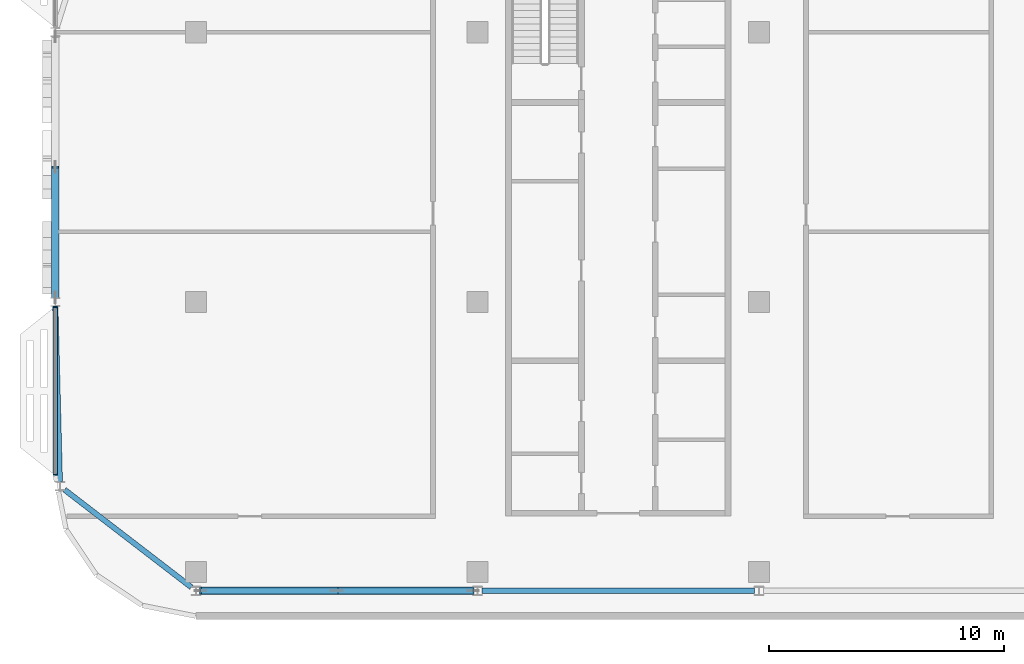
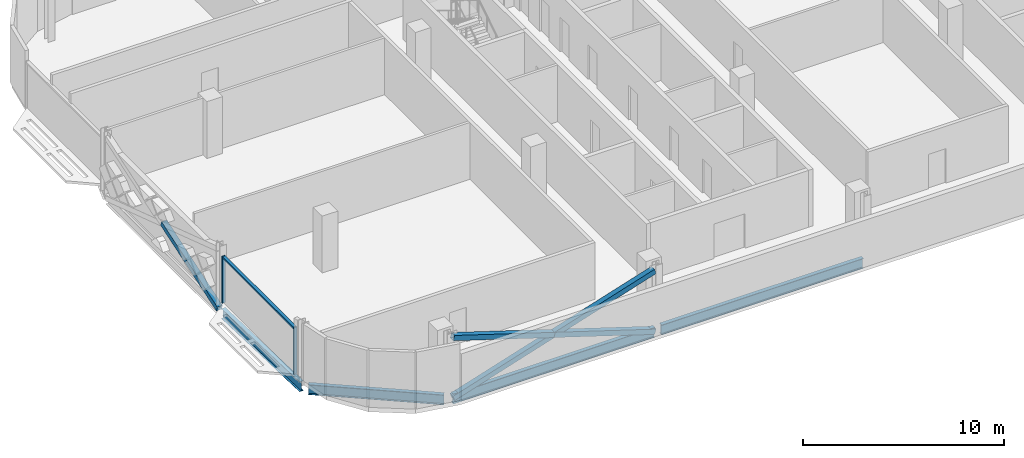
# One storey, part 5 of 28: 7 members, 4 beams, 1 element without a shape of its own.
"""IFC4 building model written with IfcOpenShell, lengths in metres."""

from ifc_helpers import new_model, si_unit, direction, frame, origin, origin_2d, place, context, subcontext, project, spatial, rectangle, hollow_rectangle, i_section, extrude, material, material_profile, profile_set, type_object, element, aggregate, save


model = new_model("IFC4")

# Units and contexts
model_context = context("Model", 3, precision=1e-05, world=origin(), true_north=direction((0.0, 1.0)))
body_context = subcontext(model_context, "Body", "Model", "MODEL_VIEW")
ifc_project = project(units=[si_unit("LENGTHUNIT", "METRE"), si_unit("AREAUNIT", "SQUARE_METRE"), si_unit("VOLUMEUNIT", "CUBIC_METRE"), si_unit("PLANEANGLEUNIT", "RADIAN"), si_unit("MASSUNIT", "GRAM", prefix="KILO")], contexts=[model_context])

# Site, building, storey
site_placement = place(None, origin())
site = spatial("IfcSite", under=ifc_project, at=site_placement, CompositionType="ELEMENT")
building_placement = place(site_placement, origin())
building = spatial("IfcBuilding", under=site, at=building_placement, Name="Mahtab Terrace Research Tower", CompositionType="ELEMENT")
storey_placement = place(building_placement, frame((0.0, 0.0, 270.89990234375)))
storey = spatial("IfcBuildingStorey", under=building, at=storey_placement, Name="L66", CompositionType="ELEMENT", Elevation=270.89990234375)

# Members
ifc_material_1 = material(Name="Steel ASTM A500 Gr C", Category="steel")
ifc_material_profile_1 = material_profile(ifc_material_1, hollow_rectangle(XDim=0.3046875, YDim=0.3046875, WallThickness=0.015869140625, at=origin_2d()), Name="HSS12X12X5/8")
ifc_profile_set_1 = profile_set([ifc_material_profile_1], Name="Steel ASTM A500 Gr C")
member_type_1 = type_object("IfcMemberType", Name="HSS 12x12x5/8 brace XB121258", PredefinedType="BRACE", material=ifc_profile_set_1)
member_1_placement = place(storey_placement, frame((-48.0, 0.18798828125, -0.581298828125), z_axis=(0.0, 0.949505289695, 0.313751023651), x_axis=(-1.0, 0.0, 0.0)))
element("IfcMember", 1, at=member_1_placement, inside=storey, type_object=member_type_1, Name="Exoskeleton brace L66 11 b1", PredefinedType="BRACE", context=body_context, shape_type="SweptSolid", body=[
    extrude(hollow_rectangle(XDim=0.3046875, YDim=0.3046875, WallThickness=0.015869140625, at=origin_2d()), origin(), (0.0, 0.0, 1.0), 5.85791015625),
])
member_2_placement = place(storey_placement, frame((-41.80322265625, -12.306884765625, -0.5810546875), z_axis=(0.953344149173, 0.0, 0.301885629399), x_axis=(0.0, 1.0, 0.0)))
element("IfcMember", 2, at=member_2_placement, inside=storey, type_object=member_type_1, Name="Exoskeleton brace L66 14 a", PredefinedType="BRACE", context=body_context, shape_type="SweptSolid", body=[
    extrude(hollow_rectangle(XDim=0.3046875, YDim=0.3046875, WallThickness=0.015869140625, at=origin_2d()), origin(), (0.0, 0.0, 1.0), 12.174560546875),
])
for number, where, z_axis, x_axis, name in (
    (3, (-30.19677734375, -12.306884765625, -0.5810546875), (-0.953344149173, 0.0, 0.301885629399), (0.0, -1.0, 0.0), "Exoskeleton brace L66 14 b1"),
    (4, (-36.0, -12.306884765625, 1.256591796875), (-0.953344149173, 0.0, 0.301885629399), (0.0, -1.0, 0.0), "Exoskeleton brace L66 14 b2"),
):
    element("IfcMember", number, at=place(storey_placement, frame(where, z_axis=z_axis, x_axis=x_axis)), inside=storey, type_object=member_type_1, Name=name, PredefinedType="BRACE", context=body_context, shape_type="SweptSolid", body=[
        extrude(hollow_rectangle(XDim=0.3046875, YDim=0.3046875, WallThickness=0.015869140625, at=origin_2d()), origin(), (0.0, 0.0, 1.0), 6.087158203125),
    ])

# Curtain wall, members
ifc_material_2 = material(Name="Office ribbon curtain wall")
curtain_wall_type = type_object("IfcCurtainWallType", Name="Office ribbon curtain wall", PredefinedType="NOTDEFINED", material=ifc_material_2)
curtain_wall_placement = place(storey_placement, origin())
curtain_wall = element("IfcCurtainWall", 5, at=curtain_wall_placement, inside=storey, type_object=curtain_wall_type, Name="EN.L66.8.10", PredefinedType="NOTDEFINED")
ifc_material_3 = material(Name="Natural anodised aluminium", Category="aluminium")
ifc_material_profile_2 = material_profile(ifc_material_3, rectangle(XDim=0.179931640625, YDim=0.06005859375, at=origin_2d()), Name="MULLION 60x180")
ifc_profile_set_2 = profile_set([ifc_material_profile_2], Name="Natural anodised aluminium")
member_type_2 = type_object("IfcMemberType", Name="Office ribbon curtain wall mullion", PredefinedType="MULLION", material=ifc_profile_set_2)
member_3_placement = place(storey_placement, frame((-48.0, -0.218017578125, 0.0), z_axis=(0.0, 0.0, 1.0), x_axis=(1.0, 0.0, 0.0)))
member_3 = element("IfcMember", 6, at=member_3_placement, type_object=member_type_2, Name="CWO-8 mullion 1", PredefinedType="MULLION", context=body_context, shape_type="SweptSolid", body=[
    extrude(rectangle(XDim=0.179931640625, YDim=0.06005859375, at=origin_2d()), origin(), (0.0, 0.0, 1.0), 2.85302734375),
])
member_4_placement = place(storey_placement, frame((-48.0, -7.360107421875, 0.0), z_axis=(0.0, 0.0, 1.0), x_axis=(1.0, 0.0, 0.0)))
member_4 = element("IfcMember", 7, at=member_4_placement, type_object=member_type_2, Name="CWO-8 mullion 2", PredefinedType="MULLION", context=body_context, shape_type="SweptSolid", body=[
    extrude(rectangle(XDim=0.179931640625, YDim=0.06005859375, at=origin_2d()), origin(), (0.0, 0.0, 1.0), 2.85302734375),
])
ifc_material_profile_3 = material_profile(ifc_material_3, rectangle(XDim=0.179931640625, YDim=0.10009765625, at=origin_2d()), Name="TRANSOM 100x180")
ifc_profile_set_3 = profile_set([ifc_material_profile_3], Name="Natural anodised aluminium")
member_type_3 = type_object("IfcMemberType", Name="Office ribbon curtain wall transom", PredefinedType="USERDEFINED", material=ifc_profile_set_3)
member_5_placement = place(storey_placement, frame((-48.0, -0.248046875, 2.802978515625), z_axis=(0.0, -1.0, 0.0), x_axis=(1.0, 0.0, 0.0)))
member_5 = element("IfcMember", 8, at=member_5_placement, type_object=member_type_3, Name="CWO-8 transom 1", ObjectType="TRANSOM", PredefinedType="USERDEFINED", context=body_context, shape_type="SweptSolid", body=[
    extrude(rectangle(XDim=0.179931640625, YDim=0.10009765625, at=origin_2d()), origin(), (0.0, 0.0, 1.0), 7.08203125),
])
aggregate(curtain_wall, [member_3, member_4, member_5])

# Beams
ifc_material_4 = material(Name="Steel ASTM A992 Gr 50", Category="steel")
ifc_material_profile_4 = material_profile(ifc_material_4, i_section(OverallWidth=0.228271484375, OverallDepth=0.607177734375, WebThickness=0.01123046875, FlangeThickness=0.017333984375, at=origin_2d()), Name="W24X76")
ifc_profile_set_4 = profile_set([ifc_material_profile_4], Name="Steel ASTM A992 Gr 50")
beam_type = type_object("IfcBeamType", Name="W24x76 beam BS2476", PredefinedType="BEAM", material=ifc_profile_set_4)
beam_1_placement = place(storey_placement, frame((-47.9951171875, -0.18798828125, -0.6435546875), z_axis=(0.025738056343, -0.999668721355, 0.0), x_axis=(0.999668721355, 0.025738056343, 0.0)))
element("IfcBeam", 9, at=beam_1_placement, inside=storey, type_object=beam_type, Name="Spandrel beam L66 12", PredefinedType="BEAM", context=body_context, shape_type="SweptSolid", body=[
    extrude(i_section(OverallWidth=0.228271484375, OverallDepth=0.607177734375, WebThickness=0.01123046875, FlangeThickness=0.017333984375, at=origin_2d()), origin(), (0.0, 0.0, 1.0), 7.474609375),
])
beam_2_placement = place(storey_placement, frame((-47.60107421875, -7.999267578125, -0.6435546875), z_axis=(0.792687883453, -0.60962768919, 0.0), x_axis=(0.60962768919, 0.792687883453, 0.0)))
element("IfcBeam", 10, at=beam_2_placement, inside=storey, type_object=beam_type, Name="Spandrel beam L66 13", PredefinedType="BEAM", context=body_context, shape_type="SweptSolid", body=[
    extrude(i_section(OverallWidth=0.228271484375, OverallDepth=0.607177734375, WebThickness=0.01123046875, FlangeThickness=0.017333984375, at=origin_2d()), origin(), (0.0, 0.0, 1.0), 6.817626953125),
])
for number, where, z_axis, x_axis, name in (
    (11, (-41.80322265625, -12.306884765625, -0.6435546875), (1.0, 0.0, 0.0), (0.0, 1.0, 0.0), "Spandrel beam L66 14"),
    (12, (-29.80322265625, -12.306884765625, -0.6435546875), (1.0, 0.0, 0.0), (0.0, 1.0, 0.0), "Spandrel beam L66 15"),
):
    element("IfcBeam", number, at=place(storey_placement, frame(where, z_axis=z_axis, x_axis=x_axis)), inside=storey, type_object=beam_type, Name=name, PredefinedType="BEAM", context=body_context, shape_type="SweptSolid", body=[
        extrude(i_section(OverallWidth=0.228271484375, OverallDepth=0.607177734375, WebThickness=0.01123046875, FlangeThickness=0.017333984375, at=origin_2d()), origin(), (0.0, 0.0, 1.0), 11.6064453125),
    ])

save(model, "model.ifc")
